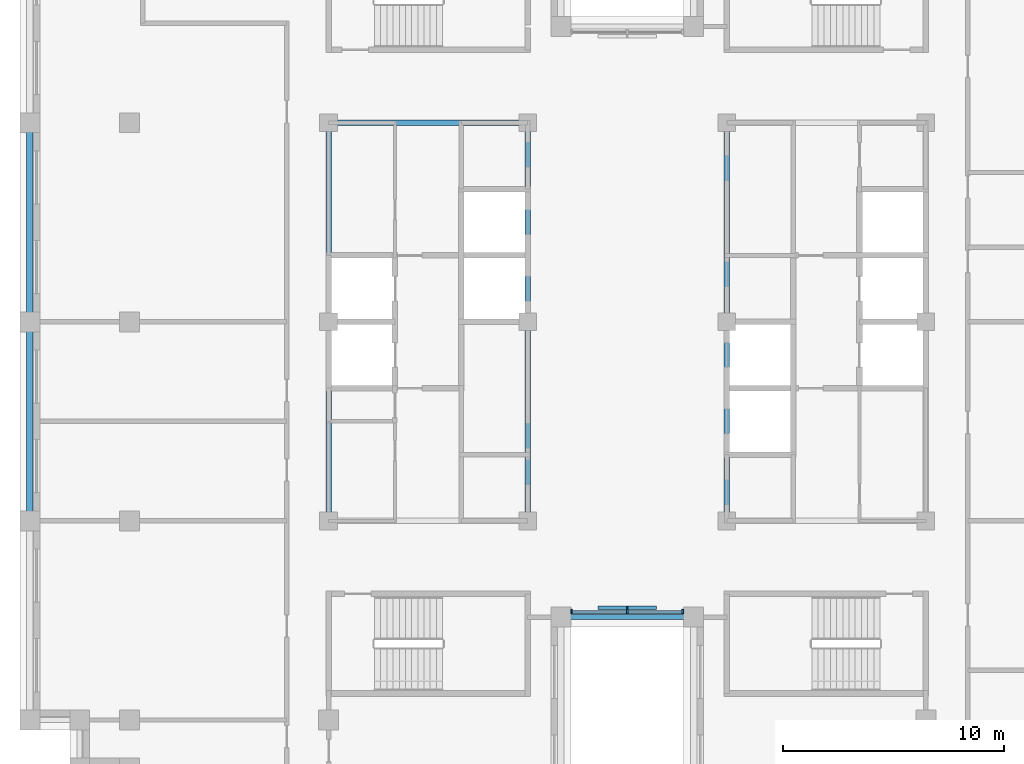
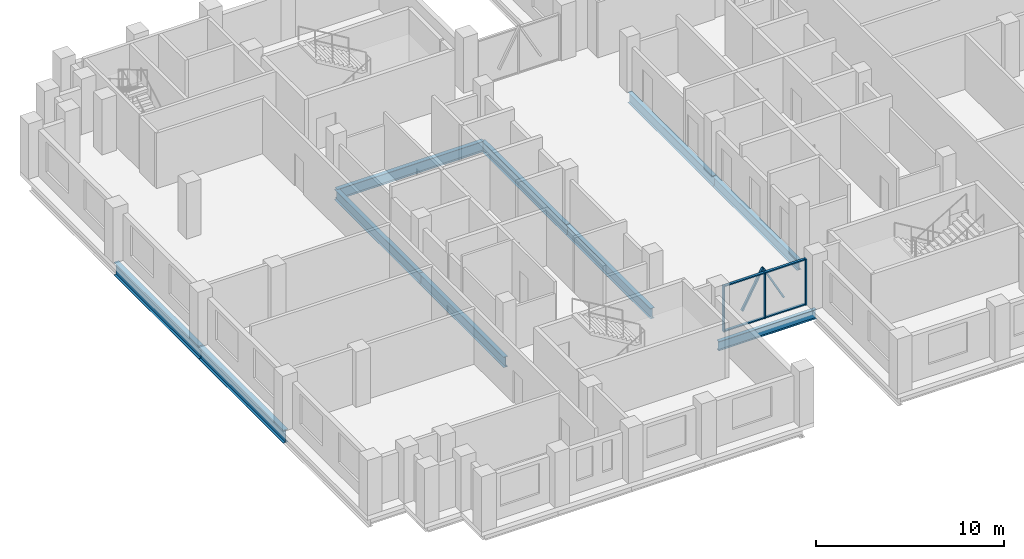
# One storey, part 2 of 13: 10 beams, 9 members, 1 element without a shape of its own.
"""IFC4 building model written with IfcOpenShell, lengths in metres."""

from ifc_helpers import new_model, si_unit, direction, frame, origin, origin_2d, place, context, subcontext, project, spatial, rectangle, i_section, extrude, material, layer, layer_set, material_profile, profile_set, type_object, element, aggregate, save


model = new_model("IFC4")

# Units and contexts
model_context = context("Model", 3, precision=1e-05, world=origin(), true_north=direction((0.0, 1.0)))
body_context = subcontext(model_context, "Body", "Model", "MODEL_VIEW")
ifc_project = project(units=[si_unit("LENGTHUNIT", "METRE"), si_unit("AREAUNIT", "SQUARE_METRE"), si_unit("VOLUMEUNIT", "CUBIC_METRE"), si_unit("PLANEANGLEUNIT", "RADIAN"), si_unit("MASSUNIT", "GRAM", prefix="KILO")], contexts=[model_context])

# Site, building, storey
site_placement = place(None, origin())
site = spatial("IfcSite", under=ifc_project, at=site_placement, CompositionType="ELEMENT")
building_placement = place(site_placement, origin())
building = spatial("IfcBuilding", under=site, at=building_placement, Name="Corbelhall Arena Tower", CompositionType="ELEMENT")
storey_placement = place(building_placement, frame((0.0, 0.0, 290.0)))
storey = spatial("IfcBuildingStorey", under=building, at=storey_placement, Name="L63", CompositionType="ELEMENT", Elevation=290.0)

# Curtain wall, members
ifc_material_1 = material(Name="Aluminium black anodised", Category="aluminium")
ifc_layer = layer(ifc_material_1, 0.199951171875)
ifc_layer_set = layer_set([ifc_layer], Name="EV-CW1 Slot back wall")
curtain_wall_type = type_object("IfcCurtainWallType", Name="EV-CW1 Slot back wall", PredefinedType="NOTDEFINED", material=ifc_layer_set)
curtain_wall_placement = place(storey_placement, origin())
curtain_wall = element("IfcCurtainWall", 1, at=curtain_wall_placement, inside=storey, type_object=curtain_wall_type, Name="Curtain wall CW1", PredefinedType="NOTDEFINED")
ifc_material_profile_1 = material_profile(ifc_material_1, rectangle(XDim=0.199951171875, YDim=0.074951171875, at=origin_2d()))
ifc_profile_set_1 = profile_set([ifc_material_profile_1], Name="Aluminium black anodised")
member_type_1 = type_object("IfcMemberType", Name="EV-CW1-MULLION", PredefinedType="MULLION", material=ifc_profile_set_1)
member_1_placement = place(storey_placement, frame((-2.512451171875, -13.10009765625, 0.0), z_axis=(0.0, 0.0, 1.0), x_axis=(0.0, 1.0, 0.0)))
member_1 = element("IfcMember", 2, at=member_1_placement, type_object=member_type_1, Name="CW1 mullion 1", PredefinedType="MULLION", context=body_context, shape_type="SweptSolid", body=[
    extrude(rectangle(XDim=0.199951171875, YDim=0.074951171875, at=origin_2d()), origin(), (0.0, 0.0, 1.0), 2.989990234375),
])
member_2_placement = place(storey_placement, frame((0.0, -13.10009765625, 0.0), z_axis=(0.0, 0.0, 1.0), x_axis=(0.0, 1.0, 0.0)))
member_2 = element("IfcMember", 3, at=member_2_placement, type_object=member_type_1, Name="CW1 mullion 2", PredefinedType="MULLION", context=body_context, shape_type="SweptSolid", body=[
    extrude(rectangle(XDim=0.199951171875, YDim=0.074951171875, at=origin_2d()), origin(), (0.0, 0.0, 1.0), 2.989990234375),
])
member_3_placement = place(storey_placement, frame((2.512451171875, -13.10009765625, 0.0), z_axis=(0.0, 0.0, 1.0), x_axis=(0.0, 1.0, 0.0)))
member_3 = element("IfcMember", 4, at=member_3_placement, type_object=member_type_1, Name="CW1 mullion 3", PredefinedType="MULLION", context=body_context, shape_type="SweptSolid", body=[
    extrude(rectangle(XDim=0.199951171875, YDim=0.074951171875, at=origin_2d()), origin(), (0.0, 0.0, 1.0), 2.989990234375),
])
ifc_material_profile_2 = material_profile(ifc_material_1, rectangle(XDim=0.14990234375, YDim=0.074951171875, at=origin_2d()))
ifc_profile_set_2 = profile_set([ifc_material_profile_2], Name="Aluminium black anodised")
member_type_2 = type_object("IfcMemberType", Name="EV-CW1-TRANSOM", PredefinedType="USERDEFINED", material=ifc_profile_set_2)
member_4_placement = place(storey_placement, frame((-2.47509765625, -13.10009765625, 0.03759765625), z_axis=(1.0, 0.0, 0.0), x_axis=(0.0, 1.0, 0.0)))
member_4 = element("IfcMember", 5, at=member_4_placement, type_object=member_type_2, Name="CW1 transom 1.1", ObjectType="transom", PredefinedType="USERDEFINED", context=body_context, shape_type="SweptSolid", body=[
    extrude(rectangle(XDim=0.14990234375, YDim=0.074951171875, at=origin_2d()), origin(), (0.0, 0.0, 1.0), 2.4375),
])
member_5_placement = place(storey_placement, frame((-2.47509765625, -13.10009765625, 2.952392578125), z_axis=(1.0, 0.0, 0.0), x_axis=(0.0, 1.0, 0.0)))
member_5 = element("IfcMember", 6, at=member_5_placement, type_object=member_type_2, Name="CW1 transom 1.2", ObjectType="transom", PredefinedType="USERDEFINED", context=body_context, shape_type="SweptSolid", body=[
    extrude(rectangle(XDim=0.14990234375, YDim=0.074951171875, at=origin_2d()), origin(), (0.0, 0.0, 1.0), 2.4375),
])
member_6_placement = place(storey_placement, frame((0.03759765625, -13.10009765625, 0.03759765625), z_axis=(1.0, 0.0, 0.0), x_axis=(0.0, 1.0, 0.0)))
member_6 = element("IfcMember", 7, at=member_6_placement, type_object=member_type_2, Name="CW1 transom 2.1", ObjectType="transom", PredefinedType="USERDEFINED", context=body_context, shape_type="SweptSolid", body=[
    extrude(rectangle(XDim=0.14990234375, YDim=0.074951171875, at=origin_2d()), origin(), (0.0, 0.0, 1.0), 2.4375),
])
member_7_placement = place(storey_placement, frame((0.03759765625, -13.10009765625, 2.952392578125), z_axis=(1.0, 0.0, 0.0), x_axis=(0.0, 1.0, 0.0)))
member_7 = element("IfcMember", 8, at=member_7_placement, type_object=member_type_2, Name="CW1 transom 2.2", ObjectType="transom", PredefinedType="USERDEFINED", context=body_context, shape_type="SweptSolid", body=[
    extrude(rectangle(XDim=0.14990234375, YDim=0.074951171875, at=origin_2d()), origin(), (0.0, 0.0, 1.0), 2.4375),
])
aggregate(curtain_wall, [member_1, member_2, member_3, member_4, member_5, member_6, member_7])

# Members
ifc_material_profile_3 = material_profile(ifc_material_1, rectangle(XDim=0.159912109375, YDim=0.10009765625, at=origin_2d()))
ifc_profile_set_3 = profile_set([ifc_material_profile_3], Name="Aluminium black anodised")
member_type_3 = type_object("IfcMemberType", Name="EV-TR1 Tracery bar", PredefinedType="USERDEFINED", material=ifc_profile_set_3)
for number, where, z_axis, x_axis, name in (
    (9, (-1.27490234375, -12.919921875, 0.807373046875), (0.478030960994, 0.0, 0.878342985588), (0.0, 1.0, 0.0), "Tracery bar"),
    (10, (0.0, -12.919921875, 3.14990234375), (0.478030960994, 0.0, -0.878342985588), (0.0, 1.0, 0.0), "Tracery bar"),
):
    element("IfcMember", number, at=place(storey_placement, frame(where, z_axis=z_axis, x_axis=x_axis)), inside=storey, type_object=member_type_3, Name=name, ObjectType="TRACERY", PredefinedType="USERDEFINED", context=body_context, shape_type="SweptSolid", body=[
        extrude(rectangle(XDim=0.159912109375, YDim=0.10009765625, at=origin_2d()), origin(), (0.0, 0.0, 1.0), 2.6669921875),
    ])

# Beams
ifc_material_2 = material(Name="Steel ASTM A992 Gr50", Category="steel")
ifc_material_profile_4 = material_profile(ifc_material_2, i_section(OverallWidth=0.25390625, OverallDepth=0.67822265625, WebThickness=0.01171875, FlangeThickness=0.016357421875, at=origin_2d()))
ifc_profile_set_4 = profile_set([ifc_material_profile_4], Name="Steel ASTM A992 Gr50")
beam_type_1 = type_object("IfcBeamType", Name="ST-BEAM-W27x84", PredefinedType="BEAM", material=ifc_profile_set_4)
for number, where, z_axis, x_axis, name in (
    (11, (-13.5, -9.0, -0.619140625), (0.0, 1.0, 0.0), (-1.0, 0.0, 0.0), "Beam CEW 1"),
    (12, (-13.5, 0.0, -0.619140625), (0.0, 1.0, 0.0), (-1.0, 0.0, 0.0), "Beam CEW 2"),
    (13, (-4.5, -9.0, -0.619140625), (0.0, 1.0, 0.0), (-1.0, 0.0, 0.0), "Beam CEW 3"),
    (14, (-4.5, 0.0, -0.619140625), (0.0, 1.0, 0.0), (-1.0, 0.0, 0.0), "Beam CEW 4"),
    (15, (-13.5, 9.0, -0.619140625), (1.0, 0.0, 0.0), (0.0, 1.0, 0.0), "Beam CEW 6"),
    (16, (4.5, -9.0, -0.619140625), (0.0, 1.0, 0.0), (-1.0, 0.0, 0.0), "Beam CEE 7"),
    (17, (4.5, 0.0, -0.619140625), (0.0, 1.0, 0.0), (-1.0, 0.0, 0.0), "Beam CEE 8"),
):
    element("IfcBeam", number, at=place(storey_placement, frame(where, z_axis=z_axis, x_axis=x_axis)), inside=storey, type_object=beam_type_1, Name=name, PredefinedType="BEAM", context=body_context, shape_type="SweptSolid", body=[
        extrude(i_section(OverallWidth=0.25390625, OverallDepth=0.67822265625, WebThickness=0.01171875, FlangeThickness=0.016357421875, at=origin_2d()), origin(), (0.0, 0.0, 1.0), 9.0),
    ])
ifc_material_profile_5 = material_profile(ifc_material_2, i_section(OverallWidth=0.227783203125, OverallDepth=0.60205078125, WebThickness=0.010498046875, FlangeThickness=0.014892578125, at=origin_2d()))
ifc_profile_set_5 = profile_set([ifc_material_profile_5], Name="Steel ASTM A992 Gr50")
beam_type_2 = type_object("IfcBeamType", Name="ST-SPANDREL-W24x68", PredefinedType="SPANDREL", material=ifc_profile_set_5)
beam_placement = place(storey_placement, frame((3.0, -13.35009765625, -0.5810546875), z_axis=(-1.0, 0.0, 0.0), x_axis=(0.0, -1.0, 0.0)))
element("IfcBeam", 18, at=beam_placement, inside=storey, type_object=beam_type_2, Name="Beam SP 33", PredefinedType="SPANDREL", context=body_context, shape_type="SweptSolid", body=[
    extrude(i_section(OverallWidth=0.227783203125, OverallDepth=0.60205078125, WebThickness=0.010498046875, FlangeThickness=0.014892578125, at=origin_2d()), origin(), (0.0, 0.0, 1.0), 6.0),
])
ifc_material_profile_6 = material_profile(ifc_material_2, i_section(OverallWidth=0.2919921875, OverallDepth=0.845703125, WebThickness=0.015380859375, FlangeThickness=0.0244140625, at=origin_2d()))
ifc_profile_set_6 = profile_set([ifc_material_profile_6], Name="Steel ASTM A992 Gr50")
beam_type_3 = type_object("IfcBeamType", Name="ST-SPANDREL-W33x141", PredefinedType="SPANDREL", material=ifc_profile_set_6)
for number, where, z_axis, x_axis, name in (
    (19, (-27.0, 0.0, -0.702880859375), (0.0, 1.0, 0.0), (-1.0, 0.0, 0.0), "Beam SP 26"),
    (20, (-27.0, -9.0, -0.702880859375), (0.0, 1.0, 0.0), (-1.0, 0.0, 0.0), "Beam SP 29"),
):
    element("IfcBeam", number, at=place(storey_placement, frame(where, z_axis=z_axis, x_axis=x_axis)), inside=storey, type_object=beam_type_3, Name=name, PredefinedType="SPANDREL", context=body_context, shape_type="SweptSolid", body=[
        extrude(i_section(OverallWidth=0.2919921875, OverallDepth=0.845703125, WebThickness=0.015380859375, FlangeThickness=0.0244140625, at=origin_2d()), origin(), (0.0, 0.0, 1.0), 9.0),
    ])

save(model, "model.ifc")
